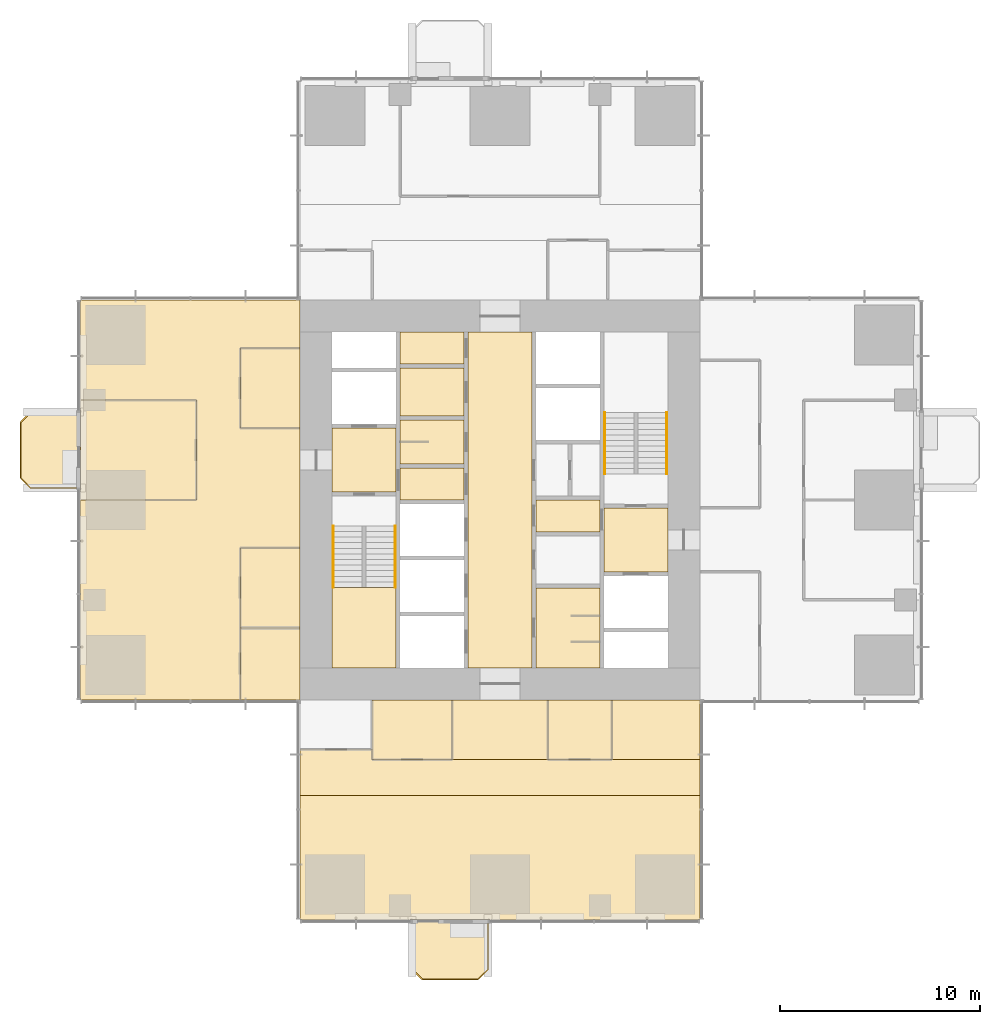
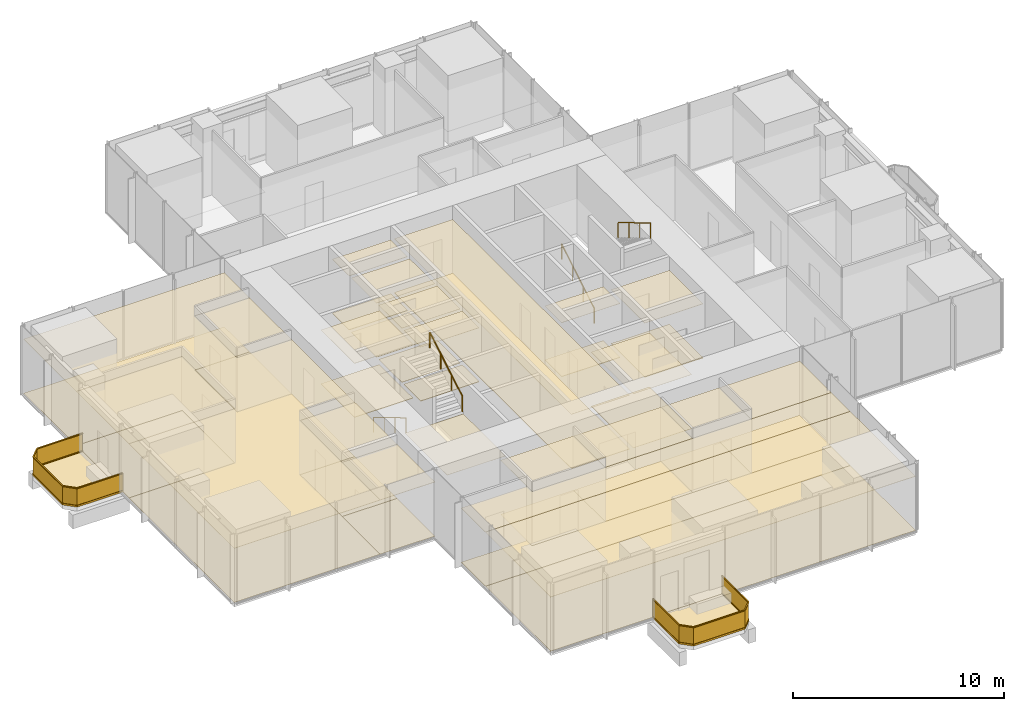
# One storey, part 11 of 13: 43 coverings, 6 railings.
"""IFC4 building model written with IfcOpenShell, lengths in metres."""

from ifc_helpers import new_model, si_unit, direction, frame, origin, origin_2d, place, context, subcontext, project, spatial, polyline, rectangle, circle, outline, extrude, material, layer, layer_set, type_object, element, save


model = new_model("IFC4")

# Units and contexts
model_context = context("Model", 3, precision=1e-05, world=origin(), true_north=direction((0.0, 1.0)))
body_context = subcontext(model_context, "Body", "Model", "MODEL_VIEW")
ifc_project = project(units=[si_unit("LENGTHUNIT", "METRE"), si_unit("AREAUNIT", "SQUARE_METRE"), si_unit("VOLUMEUNIT", "CUBIC_METRE"), si_unit("PLANEANGLEUNIT", "RADIAN"), si_unit("MASSUNIT", "GRAM", prefix="KILO")], contexts=[model_context])

# Site, building, storey
site_placement = place(None, origin())
site = spatial("IfcSite", under=ifc_project, at=site_placement, CompositionType="ELEMENT")
building_placement = place(site_placement, origin())
building = spatial("IfcBuilding", under=site, at=building_placement, Name="Svetlomir Tower", CompositionType="ELEMENT")
storey_placement = place(building_placement, frame((0.0, 0.0, 140.5)))
storey = spatial("IfcBuildingStorey", under=building, at=storey_placement, Name="L33", CompositionType="ELEMENT", Elevation=140.5)

# Railings
ifc_material_1 = material(Name="Bronze anodised aluminium and laminated glass", Category="aluminium")
railing_type_1 = type_object("IfcRailingType", Name="BALCONY GUARD GR1 1100", PredefinedType="GUARDRAIL", material=ifc_material_1)
railing_1_placement = place(storey_placement, frame((16.60009765625, 0.0, 0.0)))
element("IfcRailing", 1, at=railing_1_placement, inside=storey, type_object=railing_type_1, Name="Balcony guard S L33", PredefinedType="GUARDRAIL", context=body_context, shape_type="SweptSolid", body=[
    extrude(rectangle(XDim=0.06005859375, YDim=0.10009765625, at=origin_2d()), frame((0.0, 0.0, 0.050048828125), z_axis=(0.0, -1.0, 0.0), x_axis=(1.0, 0.0, 0.0)), (0.0, 0.0, 1.0), 2.5),
    extrude(rectangle(XDim=0.021484375, YDim=0.960205078125, at=origin_2d()), frame((0.0, 0.0, 0.580078125), z_axis=(0.0, -1.0, 0.0), x_axis=(1.0, 0.0, 0.0)), (0.0, 0.0, 1.0), 2.5),
    extrude(rectangle(XDim=0.06005859375, YDim=0.0400390625, at=origin_2d()), frame((0.0, 0.0, 1.080078125), z_axis=(0.0, -1.0, 0.0), x_axis=(1.0, 0.0, 0.0)), (0.0, 0.0, 1.0), 2.5),
    extrude(rectangle(XDim=0.06005859375, YDim=0.10009765625, at=origin_2d()), frame((0.0, -2.5, 0.050048828125), z_axis=(0.707106781187, -0.707106781187, 0.0), x_axis=(0.707106781187, 0.707106781187, 0.0)), (0.0, 0.0, 1.0), 0.70703125),
    extrude(rectangle(XDim=0.021484375, YDim=0.960205078125, at=origin_2d()), frame((0.0, -2.5, 0.580078125), z_axis=(0.707106781187, -0.707106781187, 0.0), x_axis=(0.707106781187, 0.707106781187, 0.0)), (0.0, 0.0, 1.0), 0.70703125),
    extrude(rectangle(XDim=0.06005859375, YDim=0.0400390625, at=origin_2d()), frame((0.0, -2.5, 1.080078125), z_axis=(0.707106781187, -0.707106781187, 0.0), x_axis=(0.707106781187, 0.707106781187, 0.0)), (0.0, 0.0, 1.0), 0.70703125),
    extrude(rectangle(XDim=0.06005859375, YDim=0.10009765625, at=origin_2d()), frame((0.5, -3.0, 0.050048828125), z_axis=(1.0, 0.0, 0.0), x_axis=(0.0, 1.0, 0.0)), (0.0, 0.0, 1.0), 2.7998046875),
    extrude(rectangle(XDim=0.021484375, YDim=0.960205078125, at=origin_2d()), frame((0.5, -3.0, 0.580078125), z_axis=(1.0, 0.0, 0.0), x_axis=(0.0, 1.0, 0.0)), (0.0, 0.0, 1.0), 2.7998046875),
    extrude(rectangle(XDim=0.06005859375, YDim=0.0400390625, at=origin_2d()), frame((0.5, -3.0, 1.080078125), z_axis=(1.0, 0.0, 0.0), x_axis=(0.0, 1.0, 0.0)), (0.0, 0.0, 1.0), 2.7998046875),
    extrude(rectangle(XDim=0.06005859375, YDim=0.10009765625, at=origin_2d()), frame((3.2998046875, -3.0, 0.050048828125), z_axis=(0.707106781187, 0.707106781187, 0.0), x_axis=(-0.707106781187, 0.707106781187, 0.0)), (0.0, 0.0, 1.0), 0.70703125),
    extrude(rectangle(XDim=0.021484375, YDim=0.960205078125, at=origin_2d()), frame((3.2998046875, -3.0, 0.580078125), z_axis=(0.707106781187, 0.707106781187, 0.0), x_axis=(-0.707106781187, 0.707106781187, 0.0)), (0.0, 0.0, 1.0), 0.70703125),
    extrude(rectangle(XDim=0.06005859375, YDim=0.0400390625, at=origin_2d()), frame((3.2998046875, -3.0, 1.080078125), z_axis=(0.707106781187, 0.707106781187, 0.0), x_axis=(-0.707106781187, 0.707106781187, 0.0)), (0.0, 0.0, 1.0), 0.70703125),
    extrude(rectangle(XDim=0.06005859375, YDim=0.10009765625, at=origin_2d()), frame((3.7998046875, -2.5, 0.050048828125), z_axis=(0.0, 1.0, 0.0), x_axis=(-1.0, 0.0, 0.0)), (0.0, 0.0, 1.0), 2.5),
    extrude(rectangle(XDim=0.021484375, YDim=0.960205078125, at=origin_2d()), frame((3.7998046875, -2.5, 0.580078125), z_axis=(0.0, 1.0, 0.0), x_axis=(-1.0, 0.0, 0.0)), (0.0, 0.0, 1.0), 2.5),
    extrude(rectangle(XDim=0.06005859375, YDim=0.0400390625, at=origin_2d()), frame((3.7998046875, -2.5, 1.080078125), z_axis=(0.0, 1.0, 0.0), x_axis=(-1.0, 0.0, 0.0)), (0.0, 0.0, 1.0), 2.5),
])
railing_2_placement = place(storey_placement, frame((0.0, 25.39990234375, 0.0)))
element("IfcRailing", 2, at=railing_2_placement, inside=storey, type_object=railing_type_1, Name="Balcony guard W L33", PredefinedType="GUARDRAIL", context=body_context, shape_type="SweptSolid", body=[
    extrude(rectangle(XDim=0.06005859375, YDim=0.10009765625, at=origin_2d()), frame((0.0, 0.0, 0.050048828125), z_axis=(-1.0, 0.0, 0.0), x_axis=(0.0, -1.0, 0.0)), (0.0, 0.0, 1.0), 2.5),
    extrude(rectangle(XDim=0.021484375, YDim=0.960205078125, at=origin_2d()), frame((0.0, 0.0, 0.580078125), z_axis=(-1.0, 0.0, 0.0), x_axis=(0.0, -1.0, 0.0)), (0.0, 0.0, 1.0), 2.5),
    extrude(rectangle(XDim=0.06005859375, YDim=0.0400390625, at=origin_2d()), frame((0.0, 0.0, 1.080078125), z_axis=(-1.0, 0.0, 0.0), x_axis=(0.0, -1.0, 0.0)), (0.0, 0.0, 1.0), 2.5),
    extrude(rectangle(XDim=0.06005859375, YDim=0.10009765625, at=origin_2d()), frame((-2.5, 0.0, 0.050048828125), z_axis=(-0.707106781187, -0.707106781187, 0.0), x_axis=(0.707106781187, -0.707106781187, 0.0)), (0.0, 0.0, 1.0), 0.70703125),
    extrude(rectangle(XDim=0.021484375, YDim=0.960205078125, at=origin_2d()), frame((-2.5, 0.0, 0.580078125), z_axis=(-0.707106781187, -0.707106781187, 0.0), x_axis=(0.707106781187, -0.707106781187, 0.0)), (0.0, 0.0, 1.0), 0.70703125),
    extrude(rectangle(XDim=0.06005859375, YDim=0.0400390625, at=origin_2d()), frame((-2.5, 0.0, 1.080078125), z_axis=(-0.707106781187, -0.707106781187, 0.0), x_axis=(0.707106781187, -0.707106781187, 0.0)), (0.0, 0.0, 1.0), 0.70703125),
    extrude(rectangle(XDim=0.06005859375, YDim=0.10009765625, at=origin_2d()), frame((-3.0, -0.5, 0.050048828125), z_axis=(0.0, -1.0, 0.0), x_axis=(1.0, 0.0, 0.0)), (0.0, 0.0, 1.0), 2.7998046875),
    extrude(rectangle(XDim=0.021484375, YDim=0.960205078125, at=origin_2d()), frame((-3.0, -0.5, 0.580078125), z_axis=(0.0, -1.0, 0.0), x_axis=(1.0, 0.0, 0.0)), (0.0, 0.0, 1.0), 2.7998046875),
    extrude(rectangle(XDim=0.06005859375, YDim=0.0400390625, at=origin_2d()), frame((-3.0, -0.5, 1.080078125), z_axis=(0.0, -1.0, 0.0), x_axis=(1.0, 0.0, 0.0)), (0.0, 0.0, 1.0), 2.7998046875),
    extrude(rectangle(XDim=0.06005859375, YDim=0.10009765625, at=origin_2d()), frame((-3.0, -3.2998046875, 0.050048828125), z_axis=(0.707106781187, -0.707106781187, 0.0), x_axis=(0.707106781187, 0.707106781187, 0.0)), (0.0, 0.0, 1.0), 0.70703125),
    extrude(rectangle(XDim=0.021484375, YDim=0.960205078125, at=origin_2d()), frame((-3.0, -3.2998046875, 0.580078125), z_axis=(0.707106781187, -0.707106781187, 0.0), x_axis=(0.707106781187, 0.707106781187, 0.0)), (0.0, 0.0, 1.0), 0.70703125),
    extrude(rectangle(XDim=0.06005859375, YDim=0.0400390625, at=origin_2d()), frame((-3.0, -3.2998046875, 1.080078125), z_axis=(0.707106781187, -0.707106781187, 0.0), x_axis=(0.707106781187, 0.707106781187, 0.0)), (0.0, 0.0, 1.0), 0.70703125),
    extrude(rectangle(XDim=0.06005859375, YDim=0.10009765625, at=origin_2d()), frame((-2.5, -3.7998046875, 0.050048828125), z_axis=(1.0, 0.0, 0.0), x_axis=(0.0, 1.0, 0.0)), (0.0, 0.0, 1.0), 2.5),
    extrude(rectangle(XDim=0.021484375, YDim=0.960205078125, at=origin_2d()), frame((-2.5, -3.7998046875, 0.580078125), z_axis=(1.0, 0.0, 0.0), x_axis=(0.0, 1.0, 0.0)), (0.0, 0.0, 1.0), 2.5),
    extrude(rectangle(XDim=0.06005859375, YDim=0.0400390625, at=origin_2d()), frame((-2.5, -3.7998046875, 1.080078125), z_axis=(1.0, 0.0, 0.0), x_axis=(0.0, 1.0, 0.0)), (0.0, 0.0, 1.0), 2.5),
])

# Coverings
ifc_material_2 = material(Name="Granite paving slabs on pedestals", Category="masonry")
ifc_layer_1 = layer(ifc_material_2, 0.0400390625)
ifc_layer_set_1 = layer_set([ifc_layer_1], Name="Granite paving slabs on pedestals")
covering_type_1 = type_object("IfcCoveringType", Name="BALCONY PAVING 40", PredefinedType="USERDEFINED", material=ifc_layer_set_1)
covering_1_placement = place(storey_placement, origin())
element("IfcCovering", 3, at=covering_1_placement, inside=storey, type_object=covering_type_1, Name="Balcony paving S L33", ObjectType="BALCONY PAVING", PredefinedType="USERDEFINED", context=body_context, shape_type="SweptSolid", body=[
    extrude(outline(polyline([(16.60009765625, -2.5), (17.10009765625, -3.0), (19.89990234375, -3.0), (20.39990234375, -2.5), (20.39990234375, 0.0), (16.60009765625, 0.0), (16.60009765625, -2.5)])), origin(), (0.0, 0.0, 1.0), 0.0400390625),
])
covering_2_placement = place(storey_placement, origin())
element("IfcCovering", 4, at=covering_2_placement, inside=storey, type_object=covering_type_1, Name="Balcony paving W L33", ObjectType="BALCONY PAVING", PredefinedType="USERDEFINED", context=body_context, shape_type="SweptSolid", body=[
    extrude(outline(polyline([(-2.5, 21.60009765625), (0.0, 21.60009765625), (0.0, 25.39990234375), (-2.5, 25.39990234375), (-3.0, 24.89990234375), (-3.0, 22.10009765625), (-2.5, 21.60009765625)])), origin(), (0.0, 0.0, 1.0), 0.0400390625),
])
ifc_material_3 = material(Name="Carpet tile", Category="textile")
ifc_layer_2 = layer(ifc_material_3, 0.010009765625)
ifc_layer_set_2 = layer_set([ifc_layer_2], Name="Carpet tile")
covering_type_2 = type_object("IfcCoveringType", Name="CARPET TILE FLOOR 10", PredefinedType="FLOORING", material=ifc_layer_set_2)
covering_3_placement = place(storey_placement, origin())
element("IfcCovering", 5, at=covering_3_placement, inside=storey, type_object=covering_type_2, Name="Floor finish L33-16", PredefinedType="FLOORING", context=body_context, shape_type="SweptSolid", body=[
    extrude(outline(polyline([(14.60009765625, 8.0), (18.60009765625, 8.0), (18.60009765625, 11.0), (14.60009765625, 11.0), (14.60009765625, 8.0)])), origin(), (0.0, 0.0, 1.0), 0.010009765625),
])
covering_4_placement = place(storey_placement, origin())
element("IfcCovering", 6, at=covering_4_placement, inside=storey, type_object=covering_type_2, Name="Floor finish L33-17", PredefinedType="FLOORING", context=body_context, shape_type="SweptSolid", body=[
    extrude(outline(polyline([(23.39990234375, 8.0), (26.60009765625, 8.0), (26.60009765625, 11.0), (23.39990234375, 11.0), (23.39990234375, 8.0)])), origin(), (0.0, 0.0, 1.0), 0.010009765625),
])
covering_5_placement = place(storey_placement, origin())
element("IfcCovering", 7, at=covering_5_placement, inside=storey, type_object=covering_type_2, Name="Floor finish L33-26", PredefinedType="FLOORING", context=body_context, shape_type="SweptSolid", body=[
    extrude(outline(polyline([(8.0, 11.0), (11.0, 11.0), (11.0, 14.60009765625), (8.0, 14.60009765625), (8.0, 11.0)])), origin(), (0.0, 0.0, 1.0), 0.010009765625),
])
covering_6_placement = place(storey_placement, origin())
element("IfcCovering", 8, at=covering_6_placement, inside=storey, type_object=covering_type_2, Name="Floor finish L33-27", PredefinedType="FLOORING", context=body_context, shape_type="SweptSolid", body=[
    extrude(outline(polyline([(8.0, 14.60009765625), (11.0, 14.60009765625), (11.0, 18.60009765625), (8.0, 18.60009765625), (8.0, 14.60009765625)])), origin(), (0.0, 0.0, 1.0), 0.010009765625),
])
covering_7_placement = place(storey_placement, origin())
element("IfcCovering", 9, at=covering_7_placement, inside=storey, type_object=covering_type_2, Name="Floor finish L33-28", PredefinedType="FLOORING", context=body_context, shape_type="SweptSolid", body=[
    extrude(outline(polyline([(8.0, 24.60009765625), (11.0, 24.60009765625), (11.0, 28.60009765625), (8.0, 28.60009765625), (8.0, 24.60009765625)])), origin(), (0.0, 0.0, 1.0), 0.010009765625),
])
covering_8_placement = place(storey_placement, origin())
element("IfcCovering", 10, at=covering_8_placement, inside=storey, type_object=covering_type_2, Name="Floor finish L33-29", PredefinedType="FLOORING", context=body_context, shape_type="SweptSolid", body=[
    extrude(outline(polyline([(0.0, 21.0), (5.800048828125, 21.0), (5.800048828125, 26.0), (0.0, 26.0), (0.0, 21.0)])), origin(), (0.0, 0.0, 1.0), 0.010009765625),
])
covering_9_placement = place(storey_placement, origin())
element("IfcCovering", 11, at=covering_9_placement, inside=storey, type_object=covering_type_2, Name="Floor finish L33-30", PredefinedType="FLOORING", context=body_context, shape_type="SweptSolid", body=[
    extrude(outline(polyline([(31.0, 8.0), (31.0, 6.199951171875), (11.0, 6.199951171875), (11.0, 8.5), (14.60009765625, 8.5), (14.60009765625, 8.0), (31.0, 8.0)])), origin(), (0.0, 0.0, 1.0), 0.010009765625),
])
covering_10_placement = place(storey_placement, origin())
element("IfcCovering", 12, at=covering_10_placement, inside=storey, type_object=covering_type_2, Name="Floor finish L33-32", PredefinedType="FLOORING", context=body_context, shape_type="SweptSolid", body=[
    extrude(outline(polyline([(11.0, 6.199951171875), (31.0, 6.199951171875), (31.0, 0.0), (11.0, 0.0), (11.0, 6.199951171875)])), origin(), (0.0, 0.0, 1.0), 0.010009765625),
])
covering_11_placement = place(storey_placement, origin())
element("IfcCovering", 13, at=covering_11_placement, inside=storey, type_object=covering_type_2, Name="Floor finish L33-33", PredefinedType="FLOORING", context=body_context, shape_type="SweptSolid", body=[
    extrude(outline(polyline([(23.39990234375, 11.0), (23.39990234375, 8.0), (18.60009765625, 8.0), (18.60009765625, 11.0), (23.39990234375, 11.0)])), origin(), (0.0, 0.0, 1.0), 0.010009765625),
])
covering_12_placement = place(storey_placement, origin())
element("IfcCovering", 14, at=covering_12_placement, inside=storey, type_object=covering_type_2, Name="Floor finish L33-34", PredefinedType="FLOORING", context=body_context, shape_type="SweptSolid", body=[
    extrude(outline(polyline([(31.0, 11.0), (31.0, 8.0), (26.60009765625, 8.0), (26.60009765625, 11.0), (31.0, 11.0)])), origin(), (0.0, 0.0, 1.0), 0.010009765625),
])
covering_13_placement = place(storey_placement, origin())
element("IfcCovering", 15, at=covering_13_placement, inside=storey, type_object=covering_type_2, Name="Floor finish L33-39", PredefinedType="FLOORING", context=body_context, shape_type="SweptSolid", body=[
    extrude(outline(polyline([(11.0, 28.60009765625), (8.0, 28.60009765625), (8.0, 24.60009765625), (11.0, 24.60009765625), (11.0, 18.60009765625), (8.0, 18.60009765625), (8.0, 11.0), (0.0, 11.0), (0.0, 21.0), (5.800048828125, 21.0), (5.800048828125, 26.0), (0.0, 26.0), (0.0, 31.0), (11.0, 31.0), (11.0, 28.60009765625)])), origin(), (0.0, 0.0, 1.0), 0.010009765625),
])
ifc_material_4 = material(Name="Ceramic floor tile", Category="ceramic")
ifc_layer_3 = layer(ifc_material_4, 0.014892578125)
ifc_layer_set_3 = layer_set([ifc_layer_3], Name="Ceramic floor tile")
covering_type_3 = type_object("IfcCoveringType", Name="CERAMIC TILE FLOOR 15", PredefinedType="FLOORING", material=ifc_layer_set_3)
covering_14_placement = place(storey_placement, origin())
element("IfcCovering", 16, at=covering_14_placement, inside=storey, type_object=covering_type_3, Name="Floor finish L33-04", PredefinedType="FLOORING", context=body_context, shape_type="SweptSolid", body=[
    extrude(outline(polyline([(16.0, 22.800048828125), (19.199951171875, 22.800048828125), (19.199951171875, 25.0), (16.0, 25.0), (16.0, 22.800048828125)])), origin(), (0.0, 0.0, 1.0), 0.014892578125),
])
covering_15_placement = place(storey_placement, origin())
element("IfcCovering", 17, at=covering_15_placement, inside=storey, type_object=covering_type_3, Name="Floor finish L33-05", PredefinedType="FLOORING", context=body_context, shape_type="SweptSolid", body=[
    extrude(outline(polyline([(16.0, 25.199951171875), (19.199951171875, 25.199951171875), (19.199951171875, 27.60009765625), (16.0, 27.60009765625), (16.0, 25.199951171875)])), origin(), (0.0, 0.0, 1.0), 0.014892578125),
])
covering_16_placement = place(storey_placement, origin())
element("IfcCovering", 18, at=covering_16_placement, inside=storey, type_object=covering_type_3, Name="Floor finish L33-08", PredefinedType="FLOORING", context=body_context, shape_type="SweptSolid", body=[
    extrude(outline(polyline([(22.800048828125, 12.60009765625), (26.0, 12.60009765625), (26.0, 16.60009765625), (22.800048828125, 16.60009765625), (22.800048828125, 12.60009765625)])), origin(), (0.0, 0.0, 1.0), 0.014892578125),
])

# Railings
ifc_material_5 = material(Name="Stainless steel", Category="steel")
railing_type_2 = type_object("IfcRailingType", Name="HANDRAIL HR1 900", PredefinedType="HANDRAIL", material=ifc_material_5)
railing_3_placement = place(storey_placement, frame((12.64990234375, 19.699951171875, 0.166748046875)))
element("IfcRailing", 19, at=railing_3_placement, inside=storey, type_object=railing_type_2, Name="Handrail S1 flight 1 L33", PredefinedType="HANDRAIL", context=body_context, shape_type="SweptSolid", body=[
    extrude(circle(Radius=0.02392578125, at=origin_2d()), frame((0.0, 0.0, 0.8759765625), z_axis=(0.0, -0.859290745958, 0.51148745235), x_axis=(1.0, 0.0, 0.0)), (0.0, 0.0, 1.0), 3.584228515625),
    extrude(circle(Radius=0.02099609375, at=origin_2d()), origin(), (0.0, 0.0, 1.0), 0.851806640625),
    extrude(circle(Radius=0.02099609375, at=origin_2d()), frame((0.0, -1.026611328125, 0.611083984375)), (0.0, 0.0, 1.0), 0.851806640625),
    extrude(circle(Radius=0.02099609375, at=origin_2d()), frame((0.0, -2.05322265625, 1.22216796875)), (0.0, 0.0, 1.0), 0.851806640625),
    extrude(circle(Radius=0.02099609375, at=origin_2d()), frame((0.0, -3.079833984375, 1.833251953125)), (0.0, 0.0, 1.0), 0.851806640625),
])
for number, where, name in (
    (20, (15.75, 16.6201171875, 2.166748046875), "Handrail S1 flight 2 L33"),
    (21, (26.25, 22.300048828125, 0.166748046875), "Handrail S2 flight 1 L33"),
):
    element("IfcRailing", number, at=place(storey_placement, frame(where)), inside=storey, type_object=railing_type_2, Name=name, PredefinedType="HANDRAIL", context=body_context, shape_type="SweptSolid", body=[
        extrude(circle(Radius=0.02392578125, at=origin_2d()), frame((0.0, 0.0, 0.8759765625), z_axis=(0.0, 0.859290745958, 0.51148745235), x_axis=(-1.0, 0.0, 0.0)), (0.0, 0.0, 1.0), 3.584228515625),
        extrude(circle(Radius=0.02099609375, at=origin_2d()), origin(), (0.0, 0.0, 1.0), 0.851806640625),
        extrude(circle(Radius=0.02099609375, at=origin_2d()), frame((0.0, 1.026611328125, 0.611083984375)), (0.0, 0.0, 1.0), 0.851806640625),
        extrude(circle(Radius=0.02099609375, at=origin_2d()), frame((0.0, 2.05322265625, 1.22216796875)), (0.0, 0.0, 1.0), 0.851806640625),
        extrude(circle(Radius=0.02099609375, at=origin_2d()), frame((0.0, 3.079833984375, 1.833251953125)), (0.0, 0.0, 1.0), 0.851806640625),
    ])
railing_4_placement = place(storey_placement, frame((29.35009765625, 25.3798828125, 2.166748046875)))
element("IfcRailing", 22, at=railing_4_placement, inside=storey, type_object=railing_type_2, Name="Handrail S2 flight 2 L33", PredefinedType="HANDRAIL", context=body_context, shape_type="SweptSolid", body=[
    extrude(circle(Radius=0.02392578125, at=origin_2d()), frame((0.0, 0.0, 0.8759765625), z_axis=(0.0, -0.859290745958, 0.51148745235), x_axis=(1.0, 0.0, 0.0)), (0.0, 0.0, 1.0), 3.584228515625),
    extrude(circle(Radius=0.02099609375, at=origin_2d()), origin(), (0.0, 0.0, 1.0), 0.851806640625),
    extrude(circle(Radius=0.02099609375, at=origin_2d()), frame((0.0, -1.026611328125, 0.611083984375)), (0.0, 0.0, 1.0), 0.851806640625),
    extrude(circle(Radius=0.02099609375, at=origin_2d()), frame((0.0, -2.05322265625, 1.22216796875)), (0.0, 0.0, 1.0), 0.851806640625),
    extrude(circle(Radius=0.02099609375, at=origin_2d()), frame((0.0, -3.079833984375, 1.833251953125)), (0.0, 0.0, 1.0), 0.851806640625),
])

# Coverings
ifc_material_6 = material(Name="Moisture resistant plasterboard ceiling", Category="gypsum")
ifc_layer_4 = layer(ifc_material_6, 0.012451171875)
ifc_layer_set_4 = layer_set([ifc_layer_4], Name="Moisture resistant plasterboard ceiling")
covering_type_4 = type_object("IfcCoveringType", Name="MOISTURE RESISTANT CEILING 12.5", PredefinedType="CEILING", material=ifc_layer_set_4)
covering_17_placement = place(storey_placement, frame((0.0, 0.0, 3.137451171875)))
element("IfcCovering", 23, at=covering_17_placement, inside=storey, type_object=covering_type_4, Name="Ceiling L33-04", PredefinedType="CEILING", context=body_context, shape_type="SweptSolid", body=[
    extrude(outline(polyline([(16.0, 22.800048828125), (19.199951171875, 22.800048828125), (19.199951171875, 25.0), (16.0, 25.0), (16.0, 22.800048828125)])), origin(), (0.0, 0.0, 1.0), 0.012451171875),
])
covering_18_placement = place(storey_placement, frame((0.0, 0.0, 3.137451171875)))
element("IfcCovering", 24, at=covering_18_placement, inside=storey, type_object=covering_type_4, Name="Ceiling L33-05", PredefinedType="CEILING", context=body_context, shape_type="SweptSolid", body=[
    extrude(outline(polyline([(16.0, 25.199951171875), (19.199951171875, 25.199951171875), (19.199951171875, 27.60009765625), (16.0, 27.60009765625), (16.0, 25.199951171875)])), origin(), (0.0, 0.0, 1.0), 0.012451171875),
])
covering_19_placement = place(storey_placement, frame((0.0, 0.0, 3.137451171875)))
element("IfcCovering", 25, at=covering_19_placement, inside=storey, type_object=covering_type_4, Name="Ceiling L33-08", PredefinedType="CEILING", context=body_context, shape_type="SweptSolid", body=[
    extrude(outline(polyline([(22.800048828125, 12.60009765625), (26.0, 12.60009765625), (26.0, 16.60009765625), (22.800048828125, 16.60009765625), (22.800048828125, 12.60009765625)])), origin(), (0.0, 0.0, 1.0), 0.012451171875),
])
ifc_material_7 = material(Name="Gypsum plasterboard ceiling", Category="gypsum")
ifc_layer_5 = layer(ifc_material_7, 0.014892578125)
ifc_layer_set_5 = layer_set([ifc_layer_5], Name="Gypsum plasterboard ceiling")
covering_type_5 = type_object("IfcCoveringType", Name="PLASTERBOARD CEILING 15", PredefinedType="CEILING", material=ifc_layer_set_5)
covering_20_placement = place(storey_placement, frame((0.0, 0.0, 3.135009765625)))
element("IfcCovering", 26, at=covering_20_placement, inside=storey, type_object=covering_type_5, Name="Ceiling L33-02", PredefinedType="CEILING", context=body_context, shape_type="SweptSolid", body=[
    extrude(outline(polyline([(12.60009765625, 21.39990234375), (15.800048828125, 21.39990234375), (15.800048828125, 24.60009765625), (12.60009765625, 24.60009765625), (12.60009765625, 21.39990234375)])), origin(), (0.0, 0.0, 1.0), 0.014892578125),
])
covering_21_placement = place(storey_placement, frame((0.0, 0.0, 3.135009765625)))
element("IfcCovering", 27, at=covering_21_placement, inside=storey, type_object=covering_type_5, Name="Ceiling L33-03", PredefinedType="CEILING", context=body_context, shape_type="SweptSolid", body=[
    extrude(outline(polyline([(16.0, 21.0), (19.199951171875, 21.0), (19.199951171875, 22.60009765625), (16.0, 22.60009765625), (16.0, 21.0)])), origin(), (0.0, 0.0, 1.0), 0.014892578125),
])
covering_22_placement = place(storey_placement, frame((0.0, 0.0, 3.135009765625)))
element("IfcCovering", 28, at=covering_22_placement, inside=storey, type_object=covering_type_5, Name="Ceiling L33-06", PredefinedType="CEILING", context=body_context, shape_type="SweptSolid", body=[
    extrude(outline(polyline([(16.0, 27.800048828125), (19.199951171875, 27.800048828125), (19.199951171875, 29.39990234375), (16.0, 29.39990234375), (16.0, 27.800048828125)])), origin(), (0.0, 0.0, 1.0), 0.014892578125),
])
covering_23_placement = place(storey_placement, frame((0.0, 0.0, 3.135009765625)))
element("IfcCovering", 29, at=covering_23_placement, inside=storey, type_object=covering_type_5, Name="Ceiling L33-07", PredefinedType="CEILING", context=body_context, shape_type="SweptSolid", body=[
    extrude(outline(polyline([(19.39990234375, 12.60009765625), (22.60009765625, 12.60009765625), (22.60009765625, 29.39990234375), (19.39990234375, 29.39990234375), (19.39990234375, 12.60009765625)])), origin(), (0.0, 0.0, 1.0), 0.014892578125),
])
covering_24_placement = place(storey_placement, frame((0.0, 0.0, 3.135009765625)))
element("IfcCovering", 30, at=covering_24_placement, inside=storey, type_object=covering_type_5, Name="Ceiling L33-10", PredefinedType="CEILING", context=body_context, shape_type="SweptSolid", body=[
    extrude(outline(polyline([(22.800048828125, 19.39990234375), (26.0, 19.39990234375), (26.0, 21.0), (22.800048828125, 21.0), (22.800048828125, 19.39990234375)])), origin(), (0.0, 0.0, 1.0), 0.014892578125),
])
covering_25_placement = place(storey_placement, frame((0.0, 0.0, 3.135009765625)))
element("IfcCovering", 31, at=covering_25_placement, inside=storey, type_object=covering_type_5, Name="Ceiling L33-11", PredefinedType="CEILING", context=body_context, shape_type="SweptSolid", body=[
    extrude(outline(polyline([(26.199951171875, 17.39990234375), (29.39990234375, 17.39990234375), (29.39990234375, 20.60009765625), (26.199951171875, 20.60009765625), (26.199951171875, 17.39990234375)])), origin(), (0.0, 0.0, 1.0), 0.014892578125),
])
ifc_material_8 = material(Name="Studded rubber floor finish", Category="rubber")
ifc_layer_6 = layer(ifc_material_8, 0.006103515625)
ifc_layer_set_6 = layer_set([ifc_layer_6], Name="Studded rubber floor finish")
covering_type_6 = type_object("IfcCoveringType", Name="RUBBER LANDING FINISH 6", PredefinedType="FLOORING", material=ifc_layer_set_6)
covering_26_placement = place(storey_placement, frame((0.0, 0.0, 2.0)))
element("IfcCovering", 32, at=covering_26_placement, inside=storey, type_object=covering_type_6, Name="Stair S1 landing finish L33", PredefinedType="FLOORING", context=body_context, shape_type="SweptSolid", body=[
    extrude(outline(polyline([(12.60009765625, 12.60009765625), (15.800048828125, 12.60009765625), (15.800048828125, 16.6201171875), (12.60009765625, 16.6201171875), (12.60009765625, 12.60009765625)])), origin(), (0.0, 0.0, 1.0), 0.006103515625),
])
ifc_material_9 = material(Name="Mineral fibre ceiling tile", Category="mineral")
ifc_layer_7 = layer(ifc_material_9, 0.02001953125)
ifc_layer_set_7 = layer_set([ifc_layer_7], Name="Mineral fibre ceiling tile")
covering_type_7 = type_object("IfcCoveringType", Name="SUSPENDED CEILING 20", PredefinedType="CEILING", material=ifc_layer_set_7)
covering_27_placement = place(storey_placement, frame((0.0, 0.0, 3.1298828125)))
element("IfcCovering", 33, at=covering_27_placement, inside=storey, type_object=covering_type_7, Name="Ceiling L33-16", PredefinedType="CEILING", context=body_context, shape_type="SweptSolid", body=[
    extrude(outline(polyline([(14.60009765625, 8.0), (18.60009765625, 8.0), (18.60009765625, 11.0), (14.60009765625, 11.0), (14.60009765625, 8.0)])), origin(), (0.0, 0.0, 1.0), 0.02001953125),
])
covering_28_placement = place(storey_placement, frame((0.0, 0.0, 3.1298828125)))
element("IfcCovering", 34, at=covering_28_placement, inside=storey, type_object=covering_type_7, Name="Ceiling L33-17", PredefinedType="CEILING", context=body_context, shape_type="SweptSolid", body=[
    extrude(outline(polyline([(23.39990234375, 8.0), (26.60009765625, 8.0), (26.60009765625, 11.0), (23.39990234375, 11.0), (23.39990234375, 8.0)])), origin(), (0.0, 0.0, 1.0), 0.02001953125),
])
covering_29_placement = place(storey_placement, frame((0.0, 0.0, 3.1298828125)))
element("IfcCovering", 35, at=covering_29_placement, inside=storey, type_object=covering_type_7, Name="Ceiling L33-26", PredefinedType="CEILING", context=body_context, shape_type="SweptSolid", body=[
    extrude(outline(polyline([(8.0, 11.0), (11.0, 11.0), (11.0, 14.60009765625), (8.0, 14.60009765625), (8.0, 11.0)])), origin(), (0.0, 0.0, 1.0), 0.02001953125),
])
covering_30_placement = place(storey_placement, frame((0.0, 0.0, 3.1298828125)))
element("IfcCovering", 36, at=covering_30_placement, inside=storey, type_object=covering_type_7, Name="Ceiling L33-27", PredefinedType="CEILING", context=body_context, shape_type="SweptSolid", body=[
    extrude(outline(polyline([(8.0, 14.60009765625), (11.0, 14.60009765625), (11.0, 18.60009765625), (8.0, 18.60009765625), (8.0, 14.60009765625)])), origin(), (0.0, 0.0, 1.0), 0.02001953125),
])
covering_31_placement = place(storey_placement, frame((0.0, 0.0, 3.1298828125)))
element("IfcCovering", 37, at=covering_31_placement, inside=storey, type_object=covering_type_7, Name="Ceiling L33-28", PredefinedType="CEILING", context=body_context, shape_type="SweptSolid", body=[
    extrude(outline(polyline([(8.0, 24.60009765625), (11.0, 24.60009765625), (11.0, 28.60009765625), (8.0, 28.60009765625), (8.0, 24.60009765625)])), origin(), (0.0, 0.0, 1.0), 0.02001953125),
])
covering_32_placement = place(storey_placement, frame((0.0, 0.0, 3.1298828125)))
element("IfcCovering", 38, at=covering_32_placement, inside=storey, type_object=covering_type_7, Name="Ceiling L33-29", PredefinedType="CEILING", context=body_context, shape_type="SweptSolid", body=[
    extrude(outline(polyline([(0.0, 21.0), (5.800048828125, 21.0), (5.800048828125, 26.0), (0.0, 26.0), (0.0, 21.0)])), origin(), (0.0, 0.0, 1.0), 0.02001953125),
])
covering_33_placement = place(storey_placement, frame((0.0, 0.0, 3.1298828125)))
element("IfcCovering", 39, at=covering_33_placement, inside=storey, type_object=covering_type_7, Name="Ceiling L33-30", PredefinedType="CEILING", context=body_context, shape_type="SweptSolid", body=[
    extrude(outline(polyline([(31.0, 8.0), (31.0, 6.199951171875), (11.0, 6.199951171875), (11.0, 8.5), (14.60009765625, 8.5), (14.60009765625, 8.0), (31.0, 8.0)])), origin(), (0.0, 0.0, 1.0), 0.02001953125),
])
covering_34_placement = place(storey_placement, frame((0.0, 0.0, 3.1298828125)))
element("IfcCovering", 40, at=covering_34_placement, inside=storey, type_object=covering_type_7, Name="Ceiling L33-32", PredefinedType="CEILING", context=body_context, shape_type="SweptSolid", body=[
    extrude(outline(polyline([(11.0, 6.199951171875), (31.0, 6.199951171875), (31.0, 0.0), (11.0, 0.0), (11.0, 6.199951171875)])), origin(), (0.0, 0.0, 1.0), 0.02001953125),
])
covering_35_placement = place(storey_placement, frame((0.0, 0.0, 3.1298828125)))
element("IfcCovering", 41, at=covering_35_placement, inside=storey, type_object=covering_type_7, Name="Ceiling L33-33", PredefinedType="CEILING", context=body_context, shape_type="SweptSolid", body=[
    extrude(outline(polyline([(23.39990234375, 11.0), (23.39990234375, 8.0), (18.60009765625, 8.0), (18.60009765625, 11.0), (23.39990234375, 11.0)])), origin(), (0.0, 0.0, 1.0), 0.02001953125),
])
covering_36_placement = place(storey_placement, frame((0.0, 0.0, 3.1298828125)))
element("IfcCovering", 42, at=covering_36_placement, inside=storey, type_object=covering_type_7, Name="Ceiling L33-34", PredefinedType="CEILING", context=body_context, shape_type="SweptSolid", body=[
    extrude(outline(polyline([(31.0, 11.0), (31.0, 8.0), (26.60009765625, 8.0), (26.60009765625, 11.0), (31.0, 11.0)])), origin(), (0.0, 0.0, 1.0), 0.02001953125),
])
covering_37_placement = place(storey_placement, frame((0.0, 0.0, 3.1298828125)))
element("IfcCovering", 43, at=covering_37_placement, inside=storey, type_object=covering_type_7, Name="Ceiling L33-39", PredefinedType="CEILING", context=body_context, shape_type="SweptSolid", body=[
    extrude(outline(polyline([(11.0, 28.60009765625), (8.0, 28.60009765625), (8.0, 24.60009765625), (11.0, 24.60009765625), (11.0, 18.60009765625), (8.0, 18.60009765625), (8.0, 11.0), (0.0, 11.0), (0.0, 21.0), (5.800048828125, 21.0), (5.800048828125, 26.0), (0.0, 26.0), (0.0, 31.0), (11.0, 31.0), (11.0, 28.60009765625)])), origin(), (0.0, 0.0, 1.0), 0.02001953125),
])
ifc_material_10 = material(Name="Bronze-aggregate terrazzo", Category="stone")
ifc_layer_8 = layer(ifc_material_10, 0.030029296875)
ifc_layer_set_8 = layer_set([ifc_layer_8], Name="Bronze-aggregate terrazzo")
covering_type_8 = type_object("IfcCoveringType", Name="TERRAZZO FLOOR 30", PredefinedType="FLOORING", material=ifc_layer_set_8)
covering_38_placement = place(storey_placement, origin())
element("IfcCovering", 44, at=covering_38_placement, inside=storey, type_object=covering_type_8, Name="Floor finish L33-02", PredefinedType="FLOORING", context=body_context, shape_type="SweptSolid", body=[
    extrude(outline(polyline([(12.60009765625, 21.39990234375), (15.800048828125, 21.39990234375), (15.800048828125, 24.60009765625), (12.60009765625, 24.60009765625), (12.60009765625, 21.39990234375)])), origin(), (0.0, 0.0, 1.0), 0.030029296875),
])
covering_39_placement = place(storey_placement, origin())
element("IfcCovering", 45, at=covering_39_placement, inside=storey, type_object=covering_type_8, Name="Floor finish L33-03", PredefinedType="FLOORING", context=body_context, shape_type="SweptSolid", body=[
    extrude(outline(polyline([(16.0, 21.0), (19.199951171875, 21.0), (19.199951171875, 22.60009765625), (16.0, 22.60009765625), (16.0, 21.0)])), origin(), (0.0, 0.0, 1.0), 0.030029296875),
])
covering_40_placement = place(storey_placement, origin())
element("IfcCovering", 46, at=covering_40_placement, inside=storey, type_object=covering_type_8, Name="Floor finish L33-06", PredefinedType="FLOORING", context=body_context, shape_type="SweptSolid", body=[
    extrude(outline(polyline([(16.0, 27.800048828125), (19.199951171875, 27.800048828125), (19.199951171875, 29.39990234375), (16.0, 29.39990234375), (16.0, 27.800048828125)])), origin(), (0.0, 0.0, 1.0), 0.030029296875),
])
covering_41_placement = place(storey_placement, origin())
element("IfcCovering", 47, at=covering_41_placement, inside=storey, type_object=covering_type_8, Name="Floor finish L33-07", PredefinedType="FLOORING", context=body_context, shape_type="SweptSolid", body=[
    extrude(outline(polyline([(19.39990234375, 12.60009765625), (22.60009765625, 12.60009765625), (22.60009765625, 29.39990234375), (19.39990234375, 29.39990234375), (19.39990234375, 12.60009765625)])), origin(), (0.0, 0.0, 1.0), 0.030029296875),
])
covering_42_placement = place(storey_placement, origin())
element("IfcCovering", 48, at=covering_42_placement, inside=storey, type_object=covering_type_8, Name="Floor finish L33-10", PredefinedType="FLOORING", context=body_context, shape_type="SweptSolid", body=[
    extrude(outline(polyline([(22.800048828125, 19.39990234375), (26.0, 19.39990234375), (26.0, 21.0), (22.800048828125, 21.0), (22.800048828125, 19.39990234375)])), origin(), (0.0, 0.0, 1.0), 0.030029296875),
])
covering_43_placement = place(storey_placement, origin())
element("IfcCovering", 49, at=covering_43_placement, inside=storey, type_object=covering_type_8, Name="Floor finish L33-11", PredefinedType="FLOORING", context=body_context, shape_type="SweptSolid", body=[
    extrude(outline(polyline([(26.199951171875, 17.39990234375), (29.39990234375, 17.39990234375), (29.39990234375, 20.60009765625), (26.199951171875, 20.60009765625), (26.199951171875, 17.39990234375)])), origin(), (0.0, 0.0, 1.0), 0.030029296875),
])

save(model, "model.ifc")
